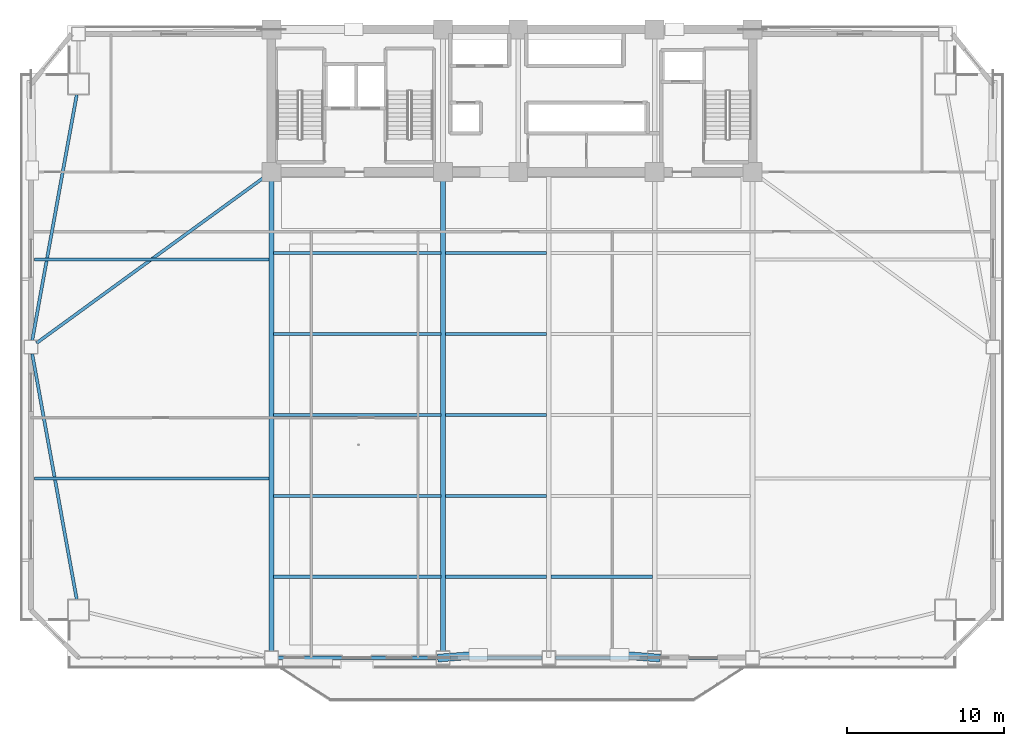
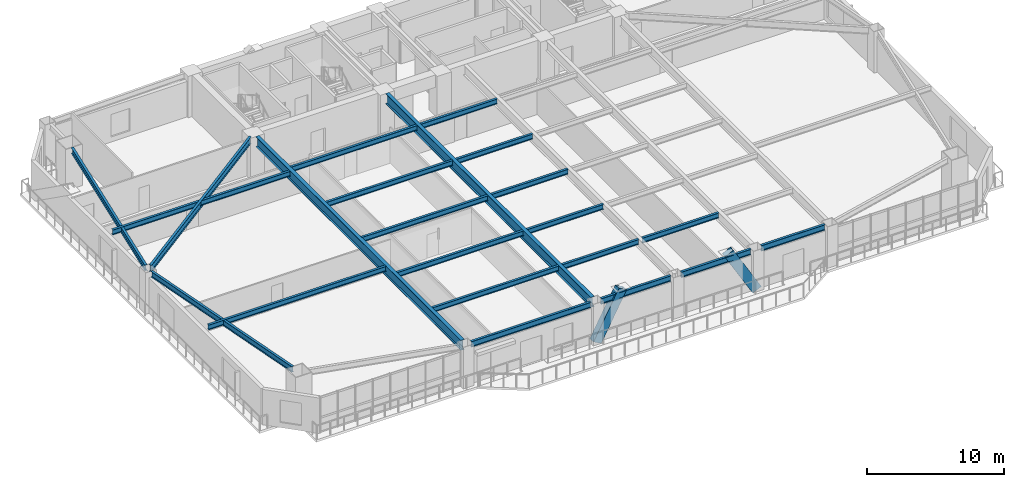
# One storey, part 3 of 15: 22 beams, 2 members.
"""IFC4 building model written with IfcOpenShell, lengths in metres."""

from ifc_helpers import new_model, si_unit, direction, frame, origin, origin_2d, place, context, subcontext, project, spatial, hollow_rectangle, i_section, extrude, source, transform, mapped, material, material_profile, profile_set, type_object, element, save


model = new_model("IFC4")

# Units and contexts
model_context = context("Model", 3, precision=1e-05, world=origin(), true_north=direction((0.0, 1.0)))
body_context = subcontext(model_context, "Body", "Model", "MODEL_VIEW")
ifc_project = project(units=[si_unit("LENGTHUNIT", "METRE"), si_unit("AREAUNIT", "SQUARE_METRE"), si_unit("VOLUMEUNIT", "CUBIC_METRE"), si_unit("PLANEANGLEUNIT", "RADIAN"), si_unit("MASSUNIT", "GRAM", prefix="KILO")], contexts=[model_context])

# Site, building, storey
site_placement = place(None, origin())
site = spatial("IfcSite", under=ifc_project, at=site_placement, CompositionType="ELEMENT")
building_placement = place(site_placement, origin())
building = spatial("IfcBuilding", under=site, at=building_placement, Name="Giltprow Tower", CompositionType="ELEMENT")
storey_placement = place(building_placement, frame((0.0, 0.0, 99.699951171875)))
storey = spatial("IfcBuildingStorey", under=building, at=storey_placement, Name="L24", CompositionType="ELEMENT", Elevation=99.699951171875)

# Beams
ifc_material_1 = material(Name="Structural steel Q355B", Category="steel")
ifc_material_profile_1 = material_profile(ifc_material_1, i_section(OverallWidth=0.199951171875, OverallDepth=0.449951171875, WebThickness=0.009033203125, FlangeThickness=0.013916015625, at=origin_2d()), Name="HN 450x200x9x14")
ifc_profile_set_1 = profile_set([ifc_material_profile_1], Name="Structural steel Q355B")
beam_type_1 = type_object("IfcBeamType", Name="BM-JOIST-HN450", PredefinedType="JOIST", material=ifc_profile_set_1)
shared_shape_1 = source(origin(), body_context, "Body", "SweptSolid", [
    extrude(i_section(OverallWidth=0.199951171875, OverallDepth=0.449951171875, WebThickness=0.009033203125, FlangeThickness=0.013916015625, at=origin_2d()), origin(), (0.0, 0.0, 1.0), 10.659912109375),
])
for number, where, z_axis, x_axis, name in (
    (1, (19.9951171875, 11.626953125, 3.455078125), (1.0, 0.0, 0.0), (0.0, 1.0, 0.0), "L24 Composite Floor Joist 1-1"),
    (2, (19.9951171875, 16.791015625, 3.455078125), (1.0, 0.0, 0.0), (0.0, 1.0, 0.0), "L24 Composite Floor Joist 2-1"),
    (3, (19.9951171875, 21.9560546875, 3.455078125), (1.0, 0.0, 0.0), (0.0, 1.0, 0.0), "L24 Composite Floor Joist 3-1"),
    (4, (19.9951171875, 27.12109375, 3.455078125), (1.0, 0.0, 0.0), (0.0, 1.0, 0.0), "L24 Composite Floor Joist 4-1"),
    (5, (19.9951171875, 32.284912109375, 3.455078125), (1.0, 0.0, 0.0), (0.0, 1.0, 0.0), "L24 Composite Floor Joist 5-1"),
):
    element("IfcBeam", number, at=place(storey_placement, frame(where, z_axis=z_axis, x_axis=x_axis)), inside=storey, type_object=beam_type_1, Name=name, PredefinedType="JOIST", context=body_context, shape_type="MappedRepresentation", body=[
        mapped(shared_shape_1, transform((0.0, 0.0, 0.0), x_axis=(1.0, 0.0, 0.0), y_axis=(0.0, 1.0, 0.0), z_axis=(0.0, 0.0, 1.0), scale=1.0)),
    ])
shared_shape_2 = source(origin(), body_context, "Body", "SweptSolid", [
    extrude(i_section(OverallWidth=0.199951171875, OverallDepth=0.449951171875, WebThickness=0.009033203125, FlangeThickness=0.013916015625, at=origin_2d()), origin(), (0.0, 0.0, 1.0), 6.4599609375),
])
for number, where, z_axis, x_axis, name in (
    (6, (30.945068359375, 11.626953125, 3.455078125), (1.0, 0.0, 0.0), (0.0, 1.0, 0.0), "L24 Composite Floor Joist 1-2"),
    (7, (37.695068359375, 11.626953125, 3.455078125), (1.0, 0.0, 0.0), (0.0, 1.0, 0.0), "L24 Composite Floor Joist 1-3"),
    (8, (30.945068359375, 16.791015625, 3.455078125), (1.0, 0.0, 0.0), (0.0, 1.0, 0.0), "L24 Composite Floor Joist 2-2"),
    (9, (30.945068359375, 21.9560546875, 3.455078125), (1.0, 0.0, 0.0), (0.0, 1.0, 0.0), "L24 Composite Floor Joist 3-2"),
    (10, (30.945068359375, 27.12109375, 3.455078125), (1.0, 0.0, 0.0), (0.0, 1.0, 0.0), "L24 Composite Floor Joist 4-2"),
    (11, (30.945068359375, 32.284912109375, 3.455078125), (1.0, 0.0, 0.0), (0.0, 1.0, 0.0), "L24 Composite Floor Joist 5-2"),
):
    element("IfcBeam", number, at=place(storey_placement, frame(where, z_axis=z_axis, x_axis=x_axis)), inside=storey, type_object=beam_type_1, Name=name, PredefinedType="JOIST", context=body_context, shape_type="MappedRepresentation", body=[
        mapped(shared_shape_2, transform((0.0, 0.0, 0.0), x_axis=(1.0, 0.0, 0.0), y_axis=(0.0, 1.0, 0.0), z_axis=(0.0, 0.0, 1.0), scale=1.0)),
    ])
shared_shape_3 = source(origin(), body_context, "Body", "SweptSolid", [
    extrude(i_section(OverallWidth=0.199951171875, OverallDepth=0.449951171875, WebThickness=0.009033203125, FlangeThickness=0.013916015625, at=origin_2d()), origin(), (0.0, 0.0, 1.0), 14.97509765625),
])
for number, where, z_axis, x_axis, name in (
    (12, (4.72998046875, 17.89306640625, 3.455078125), (1.0, 0.0, 0.0), (0.0, 1.0, 0.0), "L24 West Wing Floor Joist 1"),
    (13, (4.72998046875, 31.864990234375, 3.455078125), (1.0, 0.0, 0.0), (0.0, 1.0, 0.0), "L24 West Wing Floor Joist 2"),
):
    element("IfcBeam", number, at=place(storey_placement, frame(where, z_axis=z_axis, x_axis=x_axis)), inside=storey, type_object=beam_type_1, Name=name, PredefinedType="JOIST", context=body_context, shape_type="MappedRepresentation", body=[
        mapped(shared_shape_3, transform((0.0, 0.0, 0.0), x_axis=(1.0, 0.0, 0.0), y_axis=(0.0, 1.0, 0.0), z_axis=(0.0, 0.0, 1.0), scale=1.0)),
    ])
ifc_material_profile_2 = material_profile(ifc_material_1, i_section(OverallWidth=0.199951171875, OverallDepth=0.5, WebThickness=0.010009765625, FlangeThickness=0.01611328125, at=origin_2d()), Name="HN 500x200x10x16")
ifc_profile_set_2 = profile_set([ifc_material_profile_2], Name="Structural steel Q355B")
beam_type_2 = type_object("IfcBeamType", Name="BM-SPAN-HN500", PredefinedType="SPANDREL", material=ifc_profile_set_2)
shared_shape_4 = source(origin(), body_context, "Body", "SweptSolid", [
    extrude(i_section(OverallWidth=0.199951171875, OverallDepth=0.5, WebThickness=0.010009765625, FlangeThickness=0.01611328125, at=origin_2d()), origin(), (0.0, 0.0, 1.0), 10.080078125),
])
beam_1_placement = place(storey_placement, frame((20.284912109375, 6.4619140625, 3.429931640625), z_axis=(1.0, 0.0, 0.0), x_axis=(0.0, 1.0, 0.0)))
element("IfcBeam", 14, at=beam_1_placement, inside=storey, type_object=beam_type_2, Name="L24 Perimeter Spandrel Beam S1-S2", PredefinedType="SPANDREL", context=body_context, shape_type="MappedRepresentation", body=[
    mapped(shared_shape_4, transform((0.0, 0.0, 0.0), x_axis=(1.0, 0.0, 0.0), y_axis=(0.0, 1.0, 0.0), z_axis=(0.0, 0.0, 1.0), scale=1.0)),
])
shared_shape_5 = source(origin(), body_context, "Body", "SweptSolid", [
    extrude(i_section(OverallWidth=0.199951171875, OverallDepth=0.5, WebThickness=0.010009765625, FlangeThickness=0.01611328125, at=origin_2d()), origin(), (0.0, 0.0, 1.0), 5.8798828125),
])
for number, where, z_axis, x_axis, name in (
    (15, (31.235107421875, 6.4619140625, 3.429931640625), (1.0, 0.0, 0.0), (0.0, 1.0, 0.0), "L24 Perimeter Spandrel Beam S2-S_MID"),
    (16, (37.985107421875, 6.4619140625, 3.429931640625), (1.0, 0.0, 0.0), (0.0, 1.0, 0.0), "L24 Perimeter Spandrel Beam S_MID-S3"),
):
    element("IfcBeam", number, at=place(storey_placement, frame(where, z_axis=z_axis, x_axis=x_axis)), inside=storey, type_object=beam_type_2, Name=name, PredefinedType="SPANDREL", context=body_context, shape_type="MappedRepresentation", body=[
        mapped(shared_shape_5, transform((0.0, 0.0, 0.0), x_axis=(1.0, 0.0, 0.0), y_axis=(0.0, 1.0, 0.0), z_axis=(0.0, 0.0, 1.0), scale=1.0)),
    ])
shared_shape_6 = source(origin(), body_context, "Body", "SweptSolid", [
    extrude(i_section(OverallWidth=0.199951171875, OverallDepth=0.5, WebThickness=0.010009765625, FlangeThickness=0.01611328125, at=origin_2d()), origin(), (0.0, 0.0, 1.0), 5.3798828125),
])
beam_2_placement = place(storey_placement, frame((44.735107421875, 6.4619140625, 3.429931640625), z_axis=(1.0, 0.0, 0.0), x_axis=(0.0, 1.0, 0.0)))
element("IfcBeam", 17, at=beam_2_placement, inside=storey, type_object=beam_type_2, Name="L24 Perimeter Spandrel Beam S3-S4", PredefinedType="SPANDREL", context=body_context, shape_type="MappedRepresentation", body=[
    mapped(shared_shape_6, transform((0.0, 0.0, 0.0), x_axis=(1.0, 0.0, 0.0), y_axis=(0.0, 1.0, 0.0), z_axis=(0.0, 0.0, 1.0), scale=1.0)),
])
shared_shape_7 = source(origin(), body_context, "Body", "SweptSolid", [
    extrude(i_section(OverallWidth=0.199951171875, OverallDepth=0.5, WebThickness=0.010009765625, FlangeThickness=0.01611328125, at=origin_2d()), origin(), (0.0, 0.0, 1.0), 15.928955078125),
])
beam_3_placement = place(storey_placement, frame((4.587890625, 25.85205078125, 3.429931640625), z_axis=(0.178482140898, -0.983943151498, 0.0), x_axis=(0.983943151498, 0.178482140898, 0.0)))
element("IfcBeam", 18, at=beam_3_placement, inside=storey, type_object=beam_type_2, Name="L24 Perimeter Spandrel Beam W_MID-MC_SW", PredefinedType="SPANDREL", context=body_context, shape_type="MappedRepresentation", body=[
    mapped(shared_shape_7, transform((0.0, 0.0, 0.0), x_axis=(1.0, 0.0, 0.0), y_axis=(0.0, 1.0, 0.0), z_axis=(0.0, 0.0, 1.0), scale=1.0)),
])
shared_shape_8 = source(origin(), body_context, "Body", "SweptSolid", [
    extrude(i_section(OverallWidth=0.199951171875, OverallDepth=0.5, WebThickness=0.010009765625, FlangeThickness=0.01611328125, at=origin_2d()), origin(), (0.0, 0.0, 1.0), 15.929931640625),
])
beam_4_placement = place(storey_placement, frame((7.430908203125, 42.382080078125, 3.429931640625), z_axis=(-0.1784713749, -0.983945104333, 0.0), x_axis=(0.983945104333, -0.1784713749, 0.0)))
element("IfcBeam", 19, at=beam_4_placement, inside=storey, type_object=beam_type_2, Name="L24 Perimeter Spandrel Beam MC_NW-W_MID", PredefinedType="SPANDREL", context=body_context, shape_type="MappedRepresentation", body=[
    mapped(shared_shape_8, transform((0.0, 0.0, 0.0), x_axis=(1.0, 0.0, 0.0), y_axis=(0.0, 1.0, 0.0), z_axis=(0.0, 0.0, 1.0), scale=1.0)),
])
ifc_material_profile_3 = material_profile(ifc_material_1, i_section(OverallWidth=0.300048828125, OverallDepth=0.89990234375, WebThickness=0.01611328125, FlangeThickness=0.028076171875, at=origin_2d()), Name="HN 900x300x16x28")
ifc_profile_set_3 = profile_set([ifc_material_profile_3], Name="Structural steel Q355B")
beam_type_3 = type_object("IfcBeamType", Name="BM-GIRD-HN900", PredefinedType="BEAM", material=ifc_profile_set_3)
shared_shape_9 = source(origin(), body_context, "Body", "SweptSolid", [
    extrude(i_section(OverallWidth=0.300048828125, OverallDepth=0.89990234375, WebThickness=0.01611328125, FlangeThickness=0.028076171875, at=origin_2d()), origin(), (0.0, 0.0, 1.0), 29.968017578125),
])
for number, where, z_axis, x_axis, name in (
    (20, (19.85009765625, 6.89697265625, 3.22998046875), (0.0, 1.0, 0.0), (-1.0, 0.0, 0.0), "L24 Primary Lease Girder S1"),
    (21, (30.800048828125, 6.89697265625, 3.22998046875), (0.0, 1.0, 0.0), (-1.0, 0.0, 0.0), "L24 Primary Lease Girder S2"),
):
    element("IfcBeam", number, at=place(storey_placement, frame(where, z_axis=z_axis, x_axis=x_axis)), inside=storey, type_object=beam_type_3, Name=name, PredefinedType="BEAM", context=body_context, shape_type="MappedRepresentation", body=[
        mapped(shared_shape_9, transform((0.0, 0.0, 0.0), x_axis=(1.0, 0.0, 0.0), y_axis=(0.0, 1.0, 0.0), z_axis=(0.0, 0.0, 1.0), scale=1.0)),
    ])
ifc_material_profile_4 = material_profile(ifc_material_1, i_section(OverallWidth=0.199951171875, OverallDepth=0.60009765625, WebThickness=0.010986328125, FlangeThickness=0.01708984375, at=origin_2d()), Name="HN 600x200x11x17")
ifc_profile_set_4 = profile_set([ifc_material_profile_4], Name="Structural steel Q355B")
beam_type_4 = type_object("IfcBeamType", Name="BM-GIRD-HN600", PredefinedType="BEAM", material=ifc_profile_set_4)
shared_shape_10 = source(origin(), body_context, "Body", "SweptSolid", [
    extrude(i_section(OverallWidth=0.199951171875, OverallDepth=0.60009765625, WebThickness=0.010986328125, FlangeThickness=0.01708984375, at=origin_2d()), origin(), (0.0, 0.0, 1.0), 17.955810546875),
])
beam_5_placement = place(storey_placement, frame((4.862060546875, 26.535888671875, 3.380126953125), z_axis=(0.808370799155, 0.588673637149, 0.0), x_axis=(-0.588673637149, 0.808370799155, 0.0)))
element("IfcBeam", 22, at=beam_5_placement, inside=storey, type_object=beam_type_4, Name="L24 West Wing Primary Girder", PredefinedType="BEAM", context=body_context, shape_type="MappedRepresentation", body=[
    mapped(shared_shape_10, transform((0.0, 0.0, 0.0), x_axis=(1.0, 0.0, 0.0), y_axis=(0.0, 1.0, 0.0), z_axis=(0.0, 0.0, 1.0), scale=1.0)),
])

# Members
ifc_material_2 = material(Name="Structural steel Q420GJC", Category="steel")
ifc_material_profile_5 = material_profile(ifc_material_2, hollow_rectangle(XDim=0.5, YDim=0.800048828125, WallThickness=0.035888671875, at=origin_2d()), Name="RHS 800x500x36")
ifc_profile_set_5 = profile_set([ifc_material_profile_5], Name="Structural steel Q420GJC")
member_type = type_object("IfcMemberType", Name="MBR-MEGA-RHS800", PredefinedType="BRACE", material=ifc_profile_set_5)
shared_shape_11 = source(origin(), body_context, "Body", "SweptSolid", [
    extrude(hollow_rectangle(XDim=0.5, YDim=0.800048828125, WallThickness=0.035888671875, at=origin_2d()), origin(), (0.0, 0.0, 1.0), 4.506103515625),
])
for number, where, z_axis, x_axis, name in (
    (23, (30.800048828125, 6.4619140625, 0.0), (0.499326947397, 0.039064098207, 0.865532550419), (-0.077995186993, 0.996953735539, 0.0), "L24 Chevron Mega-Brace S-L"),
    (24, (44.300048828125, 6.4619140625, 0.0), (-0.499326947397, 0.039064098207, 0.865532550419), (-0.077995186993, -0.996953735539, 0.0), "L24 Chevron Mega-Brace S-R"),
):
    element("IfcMember", number, at=place(storey_placement, frame(where, z_axis=z_axis, x_axis=x_axis)), inside=storey, type_object=member_type, Name=name, PredefinedType="BRACE", context=body_context, shape_type="MappedRepresentation", body=[
        mapped(shared_shape_11, transform((0.0, 0.0, 0.0), x_axis=(1.0, 0.0, 0.0), y_axis=(0.0, 1.0, 0.0), z_axis=(0.0, 0.0, 1.0), scale=1.0)),
    ])

save(model, "model.ifc")
